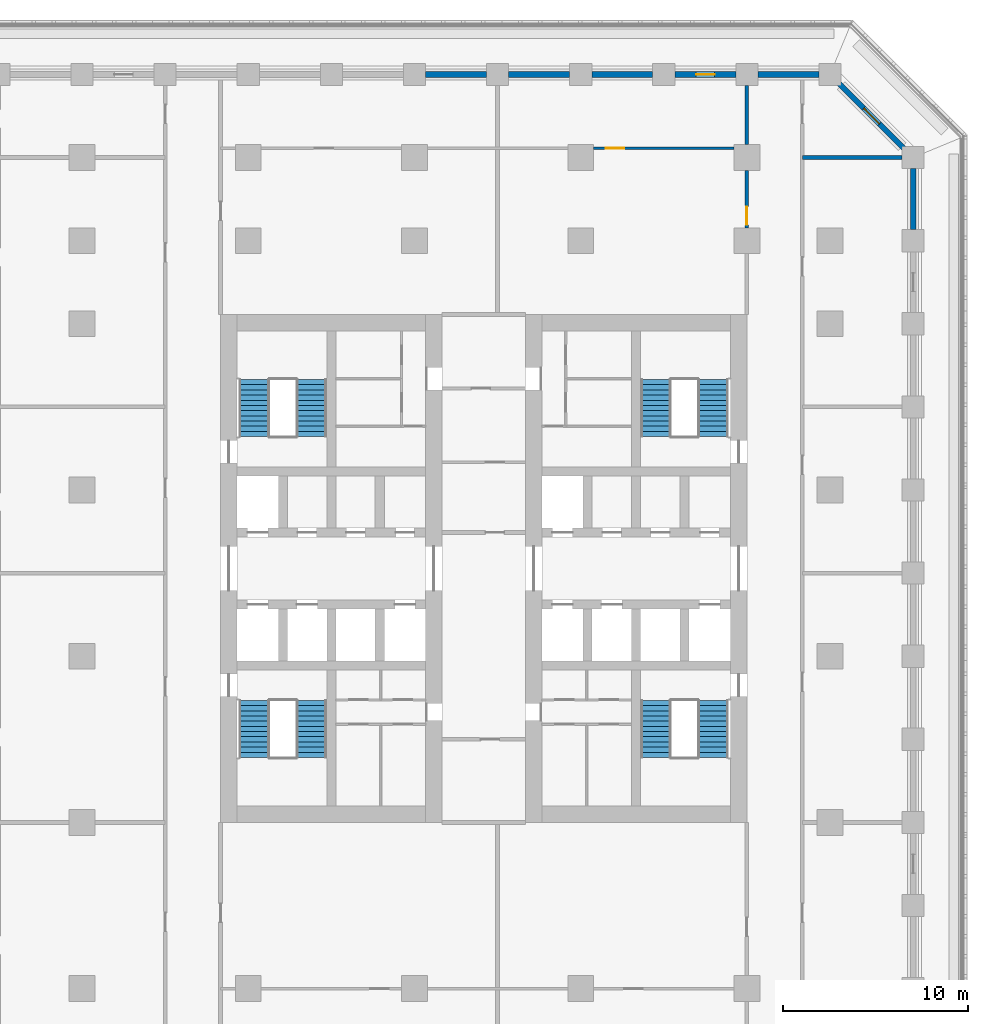
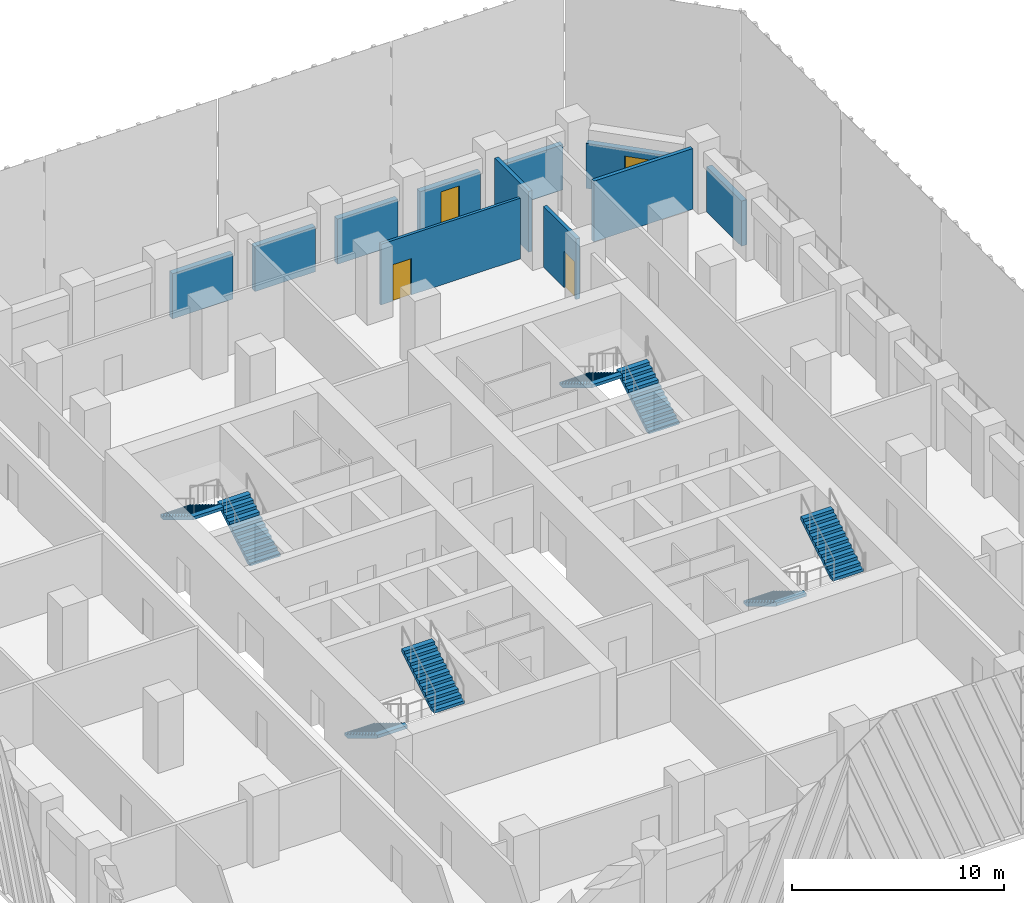
# One storey, part 7 of 17: 11 walls, 8 stair flights, 4 doors, 4 openings, 4 elements without a shape of their own.
"""IFC4 building model written with IfcOpenShell, lengths in metres."""

from ifc_helpers import new_model, si_unit, direction, frame, frame_2d, origin, place, context, subcontext, project, spatial, polyline, rectangle, outline, extrude, material, layer, layer_set, type_object, element, fill, aggregate, save


model = new_model("IFC4")

# Units and contexts
model_context = context("Model", 3, precision=1e-05, world=origin(), true_north=direction((0.0, 1.0)))
body_context = subcontext(model_context, "Body", "Model", "MODEL_VIEW")
ifc_project = project(units=[si_unit("LENGTHUNIT", "METRE"), si_unit("AREAUNIT", "SQUARE_METRE"), si_unit("VOLUMEUNIT", "CUBIC_METRE"), si_unit("PLANEANGLEUNIT", "RADIAN"), si_unit("MASSUNIT", "GRAM", prefix="KILO")], contexts=[model_context])

# Site, building, storey
site_placement = place(None, origin())
site = spatial("IfcSite", under=ifc_project, at=site_placement, CompositionType="ELEMENT")
building_placement = place(site_placement, origin())
building = spatial("IfcBuilding", under=site, at=building_placement, Name="Corbel Stack Research Tower", CompositionType="ELEMENT")
storey_placement = place(building_placement, frame((0.0, 0.0, 141.300048828125)))
storey = spatial("IfcBuildingStorey", under=building, at=storey_placement, Name="L32", CompositionType="ELEMENT", Elevation=141.300048828125)

# Wall, opening, door
ifc_material_1 = material(Name="Fire-rated gypsum board partition on steel studs", Category="steel")
ifc_layer_1 = layer(ifc_material_1, 0.199951171875)
ifc_layer_set_1 = layer_set([ifc_layer_1], Name="Fire-rated gypsum board partition on steel studs")
wall_type_1 = type_object("IfcWallType", Name="Fire-rated partition 200 EI 60", PredefinedType="PARTITIONING", material=ifc_layer_set_1)
wall_1_placement = place(storey_placement, frame((18.0, 23.199951171875, 0.0), z_axis=(0.0, 0.0, 1.0), x_axis=(0.0, 1.0, 0.0)))
wall_1 = element("IfcWall", 1, at=wall_1_placement, inside=storey, type_object=wall_type_1, Name="Partition L32-010", PredefinedType="PARTITIONING", context=body_context, shape_type="SweptSolid", body=[
    extrude(rectangle(XDim=3.10009765625, YDim=0.199951171875, at=frame_2d((1.550048828125, 0.0))), origin(), (0.0, 0.0, 1.0), 3.5),
])
opening_1_placement = place(wall_1_placement, frame((0.14990234375, 0.0, 0.0)))
opening_1 = element("IfcOpeningElement", 2, at=opening_1_placement, cuts=wall_1, Name="Opening B4V2-020", PredefinedType="OPENING", context=body_context, shape_type="SweptSolid", body=[
    extrude(rectangle(XDim=1.0, YDim=2.10009765625, at=frame_2d((0.5, 1.050048828125))), frame((0.0, 0.10986328125, 0.0), z_axis=(0.0, -1.0, 0.0), x_axis=(1.0, 0.0, 0.0)), (0.0, 0.0, 1.0), 0.219970703125),
])
ifc_material_2 = material(Name="Painted steel fire door", Category="steel")
door_type_1 = type_object("IfcDoorType", Name="Fire door FD30S 1000 x 2100", OperationType="NOTDEFINED", PredefinedType="DOOR", material=ifc_material_2)
door_1_placement = place(opening_1_placement, origin())
door_1 = element("IfcDoor", 3, at=door_1_placement, inside=storey, type_object=door_type_1, Name="Door B4V2-020", OperationType="SINGLE_SWING_LEFT", OverallHeight=2.10009765625, OverallWidth=1.0, PredefinedType="DOOR", context=body_context, shape_type="SweptSolid", body=[
    extrude(rectangle(XDim=1.0, YDim=2.10009765625, at=frame_2d((0.5, 1.050048828125))), frame((0.0, 0.02490234375, 0.0), z_axis=(0.0, -1.0, 0.0), x_axis=(1.0, 0.0, 0.0)), (0.0, 0.0, 1.0), 0.050048828125),
])
fill(opening_1, door_1)

# Walls
wall_2_placement = place(storey_placement, frame((18.0, 27.699951171875, 0.0), z_axis=(0.0, 0.0, 1.0), x_axis=(0.0, 1.0, 0.0)))
element("IfcWall", 4, at=wall_2_placement, inside=storey, type_object=wall_type_1, Name="Partition L32-011", PredefinedType="PARTITIONING", context=body_context, shape_type="SweptSolid", body=[
    extrude(rectangle(XDim=3.199951171875, YDim=0.199951171875, at=frame_2d((1.60009765625, 0.0))), origin(), (0.0, 0.0, 1.0), 3.5),
])
wall_3_placement = place(storey_placement, frame((21.0, 27.0, 0.0), z_axis=(0.0, 0.0, 1.0), x_axis=(1.0, 0.0, 0.0)))
element("IfcWall", 5, at=wall_3_placement, inside=storey, type_object=wall_type_1, Name="Partition L32-033", PredefinedType="PARTITIONING", context=body_context, shape_type="SweptSolid", body=[
    extrude(rectangle(XDim=5.39990234375, YDim=0.199951171875, at=frame_2d((2.699951171875, 0.0))), origin(), (0.0, 0.0, 1.0), 3.5),
])

# Wall, opening, door
ifc_material_3 = material(Name="Gypsum board partition on steel studs", Category="steel")
ifc_layer_2 = layer(ifc_material_3, 0.14990234375)
ifc_layer_set_2 = layer_set([ifc_layer_2], Name="Gypsum board partition on steel studs")
wall_type_2 = type_object("IfcWallType", Name="Partition 150", PredefinedType="PARTITIONING", material=ifc_layer_set_2)
wall_4_placement = place(storey_placement, frame((9.699951171875, 27.5, 0.0), z_axis=(0.0, 0.0, 1.0), x_axis=(1.0, 0.0, 0.0)))
wall_4 = element("IfcWall", 6, at=wall_4_placement, inside=storey, type_object=wall_type_2, Name="Partition L32-037", PredefinedType="PARTITIONING", context=body_context, shape_type="SweptSolid", body=[
    extrude(rectangle(XDim=7.60009765625, YDim=0.14990234375, at=frame_2d((3.800048828125, 0.0))), origin(), (0.0, 0.0, 1.0), 3.5),
])
opening_2_placement = place(wall_4_placement, frame((0.64990234375, 0.0, 0.0)))
opening_2 = element("IfcOpeningElement", 7, at=opening_2_placement, cuts=wall_4, Name="Opening B4V2-027", PredefinedType="OPENING", context=body_context, shape_type="SweptSolid", body=[
    extrude(rectangle(XDim=1.0, YDim=2.10009765625, at=frame_2d((0.5, 1.050048828125))), frame((0.0, 0.0849609375, 0.0), z_axis=(0.0, -1.0, 0.0), x_axis=(1.0, 0.0, 0.0)), (0.0, 0.0, 1.0), 0.169921875),
])
ifc_material_4 = material(Name="Painted timber door", Category="wood")
door_type_2 = type_object("IfcDoorType", Name="Single door 1000 x 2100", OperationType="NOTDEFINED", PredefinedType="DOOR", material=ifc_material_4)
door_2_placement = place(opening_2_placement, origin())
door_2 = element("IfcDoor", 8, at=door_2_placement, inside=storey, type_object=door_type_2, Name="Door B4V2-027", OperationType="SINGLE_SWING_LEFT", OverallHeight=2.10009765625, OverallWidth=1.0, PredefinedType="DOOR", context=body_context, shape_type="SweptSolid", body=[
    extrude(rectangle(XDim=1.0, YDim=2.10009765625, at=frame_2d((0.5, 1.050048828125))), frame((0.0, 0.02490234375, 0.0), z_axis=(0.0, -1.0, 0.0), x_axis=(1.0, 0.0, 0.0)), (0.0, 0.0, 1.0), 0.050048828125),
])
fill(opening_2, door_2)

# Wall
ifc_material_5 = material(Name="Concrete C45/55", Category="concrete")
ifc_layer_3 = layer(ifc_material_5, 0.300048828125)
ifc_layer_set_3 = layer_set([ifc_layer_3], Name="Concrete C45/55")
wall_type_3 = type_object("IfcWallType", Name="Terracotta-faced concrete wall 300", PredefinedType="SOLIDWALL", material=ifc_layer_set_3)
wall_5_placement = place(storey_placement, frame((27.0, 26.39990234375, 0.0), z_axis=(0.0, 0.0, 1.0), x_axis=(0.0, -1.0, 0.0)))
element("IfcWall", 9, at=wall_5_placement, inside=storey, type_object=wall_type_3, Name="Facade wall L32 E10", PredefinedType="SOLIDWALL", context=body_context, shape_type="SweptSolid", body=[
    extrude(rectangle(XDim=3.2998046875, YDim=0.300048828125, at=frame_2d((1.64990234375, 0.0))), origin(), (0.0, 0.0, 1.0), 2.599853515625),
])

# Wall, opening, door
wall_6_placement = place(storey_placement, frame((22.993896484375, 31.006103515625, 0.0), z_axis=(0.0, 0.0, 1.0), x_axis=(0.707106781187, -0.707106781187, 0.0)))
wall_6 = element("IfcWall", 10, at=wall_6_placement, inside=storey, type_object=wall_type_3, Name="Facade wall L32 NE01", PredefinedType="SOLIDWALL", context=body_context, shape_type="SweptSolid", body=[
    extrude(rectangle(XDim=4.967041015625, YDim=0.300048828125, at=frame_2d((2.4833984375, 0.0))), origin(), (0.0, 0.0, 1.0), 2.599853515625),
])
opening_3_placement = place(wall_6_placement, frame((1.883544921875, 0.0, 0.0)))
opening_3 = element("IfcOpeningElement", 11, at=opening_3_placement, cuts=wall_6, Name="Opening L32-B06", PredefinedType="OPENING", context=body_context, shape_type="SweptSolid", body=[
    extrude(rectangle(XDim=1.199951171875, YDim=2.199951171875, at=frame_2d((0.60009765625, 1.10009765625))), frame((0.0, 0.159912109375, 0.0), z_axis=(0.0, -1.0, 0.0), x_axis=(1.0, 0.0, 0.0)), (0.0, 0.0, 1.0), 0.320068359375),
])
ifc_material_6 = material(Name="Aluminium frame, clear double glazing", Category="aluminium")
door_type_3 = type_object("IfcDoorType", Name="Balcony door BD2 1200 x 2200", OperationType="NOTDEFINED", PredefinedType="DOOR", material=ifc_material_6)
door_3_placement = place(opening_3_placement, origin())
door_3 = element("IfcDoor", 12, at=door_3_placement, inside=storey, type_object=door_type_3, Name="Balcony door L32-B06", OperationType="SINGLE_SWING_LEFT", OverallHeight=2.199951171875, OverallWidth=1.199951171875, PredefinedType="DOOR", context=body_context, shape_type="SweptSolid", body=[
    extrude(rectangle(XDim=1.199951171875, YDim=2.199951171875, at=frame_2d((0.60009765625, 1.10009765625))), frame((0.0, 0.02490234375, 0.0), z_axis=(0.0, -1.0, 0.0), x_axis=(1.0, 0.0, 0.0)), (0.0, 0.0, 1.0), 0.050048828125),
])
fill(opening_3, door_3)

# Wall
wall_7_placement = place(storey_placement, frame((18.60009765625, 31.5, 0.0), z_axis=(0.0, 0.0, 1.0), x_axis=(1.0, 0.0, 0.0)))
element("IfcWall", 13, at=wall_7_placement, inside=storey, type_object=wall_type_3, Name="Facade wall L32 N01", PredefinedType="SOLIDWALL", context=body_context, shape_type="SweptSolid", body=[
    extrude(rectangle(XDim=3.2998046875, YDim=0.300048828125, at=frame_2d((1.64990234375, 0.0))), origin(), (0.0, 0.0, 1.0), 2.599853515625),
])

# Wall, opening, door
wall_8_placement = place(storey_placement, frame((14.10009765625, 31.5, 0.0), z_axis=(0.0, 0.0, 1.0), x_axis=(1.0, 0.0, 0.0)))
wall_8 = element("IfcWall", 14, at=wall_8_placement, inside=storey, type_object=wall_type_3, Name="Facade wall L32 N02", PredefinedType="SOLIDWALL", context=body_context, shape_type="SweptSolid", body=[
    extrude(rectangle(XDim=3.2998046875, YDim=0.300048828125, at=frame_2d((1.64990234375, 0.0))), origin(), (0.0, 0.0, 1.0), 2.599853515625),
])
opening_4_placement = place(wall_8_placement, frame((1.14990234375, 0.0, 0.0)))
opening_4 = element("IfcOpeningElement", 15, at=opening_4_placement, cuts=wall_8, Name="Opening L32-B07", PredefinedType="OPENING", context=body_context, shape_type="SweptSolid", body=[
    extrude(rectangle(XDim=1.0, YDim=2.199951171875, at=frame_2d((0.5, 1.10009765625))), frame((0.0, 0.159912109375, 0.0), z_axis=(0.0, -1.0, 0.0), x_axis=(1.0, 0.0, 0.0)), (0.0, 0.0, 1.0), 0.320068359375),
])
ifc_material_7 = material(Name="Aluminium frame, clear double glazing", Category="aluminium")
door_type_4 = type_object("IfcDoorType", Name="Balcony door BD1 1000 x 2200", OperationType="NOTDEFINED", PredefinedType="DOOR", material=ifc_material_7)
door_4_placement = place(opening_4_placement, origin())
door_4 = element("IfcDoor", 16, at=door_4_placement, inside=storey, type_object=door_type_4, Name="Balcony door L32-B07", OperationType="SINGLE_SWING_RIGHT", OverallHeight=2.199951171875, OverallWidth=1.0, PredefinedType="DOOR", context=body_context, shape_type="SweptSolid", body=[
    extrude(rectangle(XDim=1.0, YDim=2.199951171875, at=frame_2d((0.5, 1.10009765625))), frame((0.0, 0.02490234375, 0.0), z_axis=(0.0, -1.0, 0.0), x_axis=(1.0, 0.0, 0.0)), (0.0, 0.0, 1.0), 0.050048828125),
])
fill(opening_4, door_4)

# Walls
for number, where, z_axis, x_axis, name in (
    (17, (9.60009765625, 31.5, 0.0), (0.0, 0.0, 1.0), (1.0, 0.0, 0.0), "Facade wall L32 N03"),
    (18, (5.10009765625, 31.5, 0.0), (0.0, 0.0, 1.0), (1.0, 0.0, 0.0), "Facade wall L32 N04"),
    (19, (0.60009765625, 31.5, 0.0), (0.0, 0.0, 1.0), (1.0, 0.0, 0.0), "Facade wall L32 N05"),
):
    element("IfcWall", number, at=place(storey_placement, frame(where, z_axis=z_axis, x_axis=x_axis)), inside=storey, type_object=wall_type_3, Name=name, PredefinedType="SOLIDWALL", context=body_context, shape_type="SweptSolid", body=[
        extrude(rectangle(XDim=3.2998046875, YDim=0.300048828125, at=frame_2d((1.64990234375, 0.0))), origin(), (0.0, 0.0, 1.0), 2.599853515625),
    ])

# Stair, stair flights
ifc_material_8 = material(Name="Concrete C40/50", Category="concrete")
stair_type = type_object("IfcStairType", Name="Exit stair 24 risers", PredefinedType="HALF_TURN_STAIR", material=ifc_material_8)
stair_1_placement = place(storey_placement, origin())
stair_1 = element("IfcStair", 20, at=stair_1_placement, inside=storey, type_object=stair_type, Name="L32 Exit stair ST-W1", PredefinedType="HALF_TURN_STAIR")
ifc_material_9 = material(Name="Concrete C40/50", Category="concrete")
stair_flight_type = type_object("IfcStairFlightType", Name="Stair flight 12 risers", PredefinedType="STRAIGHT", material=ifc_material_9)
stair_flight_1_placement = place(storey_placement, frame((-8.675048828125, -2.39990234375, 0.0), z_axis=(0.0, 0.0, 1.0), x_axis=(0.0, -1.0, 0.0)))
stair_flight_1 = element("IfcStairFlight", 21, at=stair_flight_1_placement, type_object=stair_flight_type, Name="ST-W1 flight 1", NumberOfRisers=12, NumberOfTreads=11, PredefinedType="STRAIGHT", RiserHeight=0.170833333, TreadLength=0.28, context=body_context, shape_type="SweptSolid", body=[
    extrude(outline(polyline([(0.0, 0.0), (0.0, 0.1708984375), (0.280029296875, 0.1708984375), (0.280029296875, 0.341552734375), (0.56005859375, 0.341552734375), (0.56005859375, 0.512451171875), (0.840087890625, 0.512451171875), (0.840087890625, 0.683349609375), (1.1201171875, 0.683349609375), (1.1201171875, 0.854248046875), (1.39990234375, 0.854248046875), (1.39990234375, 1.02490234375), (1.679931640625, 1.02490234375), (1.679931640625, 1.19580078125), (1.9599609375, 1.19580078125), (1.9599609375, 1.36669921875), (2.239990234375, 1.36669921875), (2.239990234375, 1.53759765625), (2.52001953125, 1.53759765625), (2.52001953125, 1.708251953125), (2.800048828125, 1.708251953125), (2.800048828125, 1.879150390625), (3.080078125, 1.879150390625), (3.080078125, 2.050048828125), (3.080078125, 1.70361328125), (0.287841796875, 0.0), (0.0, 0.0)])), frame((0.0, 0.824951171875, 0.0), z_axis=(0.0, -1.0, 0.0), x_axis=(1.0, 0.0, 0.0)), (0.0, 0.0, 1.0), 1.64990234375),
])
stair_flight_2_placement = place(storey_placement, frame((-5.574951171875, -5.47998046875, 2.050048828125), z_axis=(0.0, 0.0, 1.0), x_axis=(0.0, 1.0, 0.0)))
stair_flight_2 = element("IfcStairFlight", 22, at=stair_flight_2_placement, type_object=stair_flight_type, Name="ST-W1 flight 2", NumberOfRisers=12, NumberOfTreads=11, PredefinedType="STRAIGHT", RiserHeight=0.170833333, TreadLength=0.28, context=body_context, shape_type="SweptSolid", body=[
    extrude(outline(polyline([(0.0, 0.0), (0.0, 0.1708984375), (0.280029296875, 0.1708984375), (0.280029296875, 0.341552734375), (0.56005859375, 0.341552734375), (0.56005859375, 0.512451171875), (0.840087890625, 0.512451171875), (0.840087890625, 0.683349609375), (1.1201171875, 0.683349609375), (1.1201171875, 0.854248046875), (1.39990234375, 0.854248046875), (1.39990234375, 1.02490234375), (1.679931640625, 1.02490234375), (1.679931640625, 1.19580078125), (1.9599609375, 1.19580078125), (1.9599609375, 1.36669921875), (2.239990234375, 1.36669921875), (2.239990234375, 1.53759765625), (2.52001953125, 1.53759765625), (2.52001953125, 1.708251953125), (2.800048828125, 1.708251953125), (2.800048828125, 1.879150390625), (3.080078125, 1.879150390625), (3.080078125, 2.050048828125), (3.080078125, 1.70361328125), (0.287841796875, 0.0), (0.0, 0.0)])), frame((0.0, 0.824951171875, 0.0), z_axis=(0.0, -1.0, 0.0), x_axis=(1.0, 0.0, 0.0)), (0.0, 0.0, 1.0), 1.64990234375),
])
aggregate(stair_1, [stair_flight_1, stair_flight_2])

stair_2_placement = place(storey_placement, origin())
stair_2 = element("IfcStair", 23, at=stair_2_placement, inside=storey, type_object=stair_type, Name="L32 Exit stair ST-W2", PredefinedType="HALF_TURN_STAIR")
stair_flight_3_placement = place(storey_placement, frame((-5.574951171875, 11.89990234375, 0.0), z_axis=(0.0, 0.0, 1.0), x_axis=(0.0, 1.0, 0.0)))
stair_flight_3 = element("IfcStairFlight", 24, at=stair_flight_3_placement, type_object=stair_flight_type, Name="ST-W2 flight 1", NumberOfRisers=12, NumberOfTreads=11, PredefinedType="STRAIGHT", RiserHeight=0.170833333, TreadLength=0.28, context=body_context, shape_type="SweptSolid", body=[
    extrude(outline(polyline([(0.0, 0.0), (0.0, 0.1708984375), (0.280029296875, 0.1708984375), (0.280029296875, 0.341552734375), (0.56005859375, 0.341552734375), (0.56005859375, 0.512451171875), (0.840087890625, 0.512451171875), (0.840087890625, 0.683349609375), (1.1201171875, 0.683349609375), (1.1201171875, 0.854248046875), (1.39990234375, 0.854248046875), (1.39990234375, 1.02490234375), (1.679931640625, 1.02490234375), (1.679931640625, 1.19580078125), (1.9599609375, 1.19580078125), (1.9599609375, 1.36669921875), (2.239990234375, 1.36669921875), (2.239990234375, 1.53759765625), (2.52001953125, 1.53759765625), (2.52001953125, 1.708251953125), (2.800048828125, 1.708251953125), (2.800048828125, 1.879150390625), (3.080078125, 1.879150390625), (3.080078125, 2.050048828125), (3.080078125, 1.70361328125), (0.287841796875, 0.0), (0.0, 0.0)])), frame((0.0, 0.824951171875, 0.0), z_axis=(0.0, -1.0, 0.0), x_axis=(1.0, 0.0, 0.0)), (0.0, 0.0, 1.0), 1.64990234375),
])
stair_flight_4_placement = place(storey_placement, frame((-8.675048828125, 14.97998046875, 2.050048828125), z_axis=(0.0, 0.0, 1.0), x_axis=(0.0, -1.0, 0.0)))
stair_flight_4 = element("IfcStairFlight", 25, at=stair_flight_4_placement, type_object=stair_flight_type, Name="ST-W2 flight 2", NumberOfRisers=12, NumberOfTreads=11, PredefinedType="STRAIGHT", RiserHeight=0.170833333, TreadLength=0.28, context=body_context, shape_type="SweptSolid", body=[
    extrude(outline(polyline([(0.0, 0.0), (0.0, 0.1708984375), (0.280029296875, 0.1708984375), (0.280029296875, 0.341552734375), (0.56005859375, 0.341552734375), (0.56005859375, 0.512451171875), (0.840087890625, 0.512451171875), (0.840087890625, 0.683349609375), (1.1201171875, 0.683349609375), (1.1201171875, 0.854248046875), (1.39990234375, 0.854248046875), (1.39990234375, 1.02490234375), (1.679931640625, 1.02490234375), (1.679931640625, 1.19580078125), (1.9599609375, 1.19580078125), (1.9599609375, 1.36669921875), (2.239990234375, 1.36669921875), (2.239990234375, 1.53759765625), (2.52001953125, 1.53759765625), (2.52001953125, 1.708251953125), (2.800048828125, 1.708251953125), (2.800048828125, 1.879150390625), (3.080078125, 1.879150390625), (3.080078125, 2.050048828125), (3.080078125, 1.70361328125), (0.287841796875, 0.0), (0.0, 0.0)])), frame((0.0, 0.824951171875, 0.0), z_axis=(0.0, -1.0, 0.0), x_axis=(1.0, 0.0, 0.0)), (0.0, 0.0, 1.0), 1.64990234375),
])
aggregate(stair_2, [stair_flight_3, stair_flight_4])

stair_3_placement = place(storey_placement, origin())
stair_3 = element("IfcStair", 26, at=stair_3_placement, inside=storey, type_object=stair_type, Name="L32 Exit stair ST-E1", PredefinedType="HALF_TURN_STAIR")
stair_flight_5_placement = place(storey_placement, frame((13.074951171875, -2.39990234375, 0.0), z_axis=(0.0, 0.0, 1.0), x_axis=(0.0, -1.0, 0.0)))
stair_flight_5 = element("IfcStairFlight", 27, at=stair_flight_5_placement, type_object=stair_flight_type, Name="ST-E1 flight 1", NumberOfRisers=12, NumberOfTreads=11, PredefinedType="STRAIGHT", RiserHeight=0.170833333, TreadLength=0.28, context=body_context, shape_type="SweptSolid", body=[
    extrude(outline(polyline([(0.0, 0.0), (0.0, 0.1708984375), (0.280029296875, 0.1708984375), (0.280029296875, 0.341552734375), (0.56005859375, 0.341552734375), (0.56005859375, 0.512451171875), (0.840087890625, 0.512451171875), (0.840087890625, 0.683349609375), (1.1201171875, 0.683349609375), (1.1201171875, 0.854248046875), (1.39990234375, 0.854248046875), (1.39990234375, 1.02490234375), (1.679931640625, 1.02490234375), (1.679931640625, 1.19580078125), (1.9599609375, 1.19580078125), (1.9599609375, 1.36669921875), (2.239990234375, 1.36669921875), (2.239990234375, 1.53759765625), (2.52001953125, 1.53759765625), (2.52001953125, 1.708251953125), (2.800048828125, 1.708251953125), (2.800048828125, 1.879150390625), (3.080078125, 1.879150390625), (3.080078125, 2.050048828125), (3.080078125, 1.70361328125), (0.287841796875, 0.0), (0.0, 0.0)])), frame((0.0, 0.824951171875, 0.0), z_axis=(0.0, -1.0, 0.0), x_axis=(1.0, 0.0, 0.0)), (0.0, 0.0, 1.0), 1.64990234375),
])
stair_flight_6_placement = place(storey_placement, frame((16.175048828125, -5.47998046875, 2.050048828125), z_axis=(0.0, 0.0, 1.0), x_axis=(0.0, 1.0, 0.0)))
stair_flight_6 = element("IfcStairFlight", 28, at=stair_flight_6_placement, type_object=stair_flight_type, Name="ST-E1 flight 2", NumberOfRisers=12, NumberOfTreads=11, PredefinedType="STRAIGHT", RiserHeight=0.170833333, TreadLength=0.28, context=body_context, shape_type="SweptSolid", body=[
    extrude(outline(polyline([(0.0, 0.0), (0.0, 0.1708984375), (0.280029296875, 0.1708984375), (0.280029296875, 0.341552734375), (0.56005859375, 0.341552734375), (0.56005859375, 0.512451171875), (0.840087890625, 0.512451171875), (0.840087890625, 0.683349609375), (1.1201171875, 0.683349609375), (1.1201171875, 0.854248046875), (1.39990234375, 0.854248046875), (1.39990234375, 1.02490234375), (1.679931640625, 1.02490234375), (1.679931640625, 1.19580078125), (1.9599609375, 1.19580078125), (1.9599609375, 1.36669921875), (2.239990234375, 1.36669921875), (2.239990234375, 1.53759765625), (2.52001953125, 1.53759765625), (2.52001953125, 1.708251953125), (2.800048828125, 1.708251953125), (2.800048828125, 1.879150390625), (3.080078125, 1.879150390625), (3.080078125, 2.050048828125), (3.080078125, 1.70361328125), (0.287841796875, 0.0), (0.0, 0.0)])), frame((0.0, 0.824951171875, 0.0), z_axis=(0.0, -1.0, 0.0), x_axis=(1.0, 0.0, 0.0)), (0.0, 0.0, 1.0), 1.64990234375),
])
aggregate(stair_3, [stair_flight_5, stair_flight_6])

stair_4_placement = place(storey_placement, origin())
stair_4 = element("IfcStair", 29, at=stair_4_placement, inside=storey, type_object=stair_type, Name="L32 Exit stair ST-E2", PredefinedType="HALF_TURN_STAIR")
stair_flight_7_placement = place(storey_placement, frame((16.175048828125, 11.89990234375, 0.0), z_axis=(0.0, 0.0, 1.0), x_axis=(0.0, 1.0, 0.0)))
stair_flight_7 = element("IfcStairFlight", 30, at=stair_flight_7_placement, type_object=stair_flight_type, Name="ST-E2 flight 1", NumberOfRisers=12, NumberOfTreads=11, PredefinedType="STRAIGHT", RiserHeight=0.170833333, TreadLength=0.28, context=body_context, shape_type="SweptSolid", body=[
    extrude(outline(polyline([(0.0, 0.0), (0.0, 0.1708984375), (0.280029296875, 0.1708984375), (0.280029296875, 0.341552734375), (0.56005859375, 0.341552734375), (0.56005859375, 0.512451171875), (0.840087890625, 0.512451171875), (0.840087890625, 0.683349609375), (1.1201171875, 0.683349609375), (1.1201171875, 0.854248046875), (1.39990234375, 0.854248046875), (1.39990234375, 1.02490234375), (1.679931640625, 1.02490234375), (1.679931640625, 1.19580078125), (1.9599609375, 1.19580078125), (1.9599609375, 1.36669921875), (2.239990234375, 1.36669921875), (2.239990234375, 1.53759765625), (2.52001953125, 1.53759765625), (2.52001953125, 1.708251953125), (2.800048828125, 1.708251953125), (2.800048828125, 1.879150390625), (3.080078125, 1.879150390625), (3.080078125, 2.050048828125), (3.080078125, 1.70361328125), (0.287841796875, 0.0), (0.0, 0.0)])), frame((0.0, 0.824951171875, 0.0), z_axis=(0.0, -1.0, 0.0), x_axis=(1.0, 0.0, 0.0)), (0.0, 0.0, 1.0), 1.64990234375),
])
stair_flight_8_placement = place(storey_placement, frame((13.074951171875, 14.97998046875, 2.050048828125), z_axis=(0.0, 0.0, 1.0), x_axis=(0.0, -1.0, 0.0)))
stair_flight_8 = element("IfcStairFlight", 31, at=stair_flight_8_placement, type_object=stair_flight_type, Name="ST-E2 flight 2", NumberOfRisers=12, NumberOfTreads=11, PredefinedType="STRAIGHT", RiserHeight=0.170833333, TreadLength=0.28, context=body_context, shape_type="SweptSolid", body=[
    extrude(outline(polyline([(0.0, 0.0), (0.0, 0.1708984375), (0.280029296875, 0.1708984375), (0.280029296875, 0.341552734375), (0.56005859375, 0.341552734375), (0.56005859375, 0.512451171875), (0.840087890625, 0.512451171875), (0.840087890625, 0.683349609375), (1.1201171875, 0.683349609375), (1.1201171875, 0.854248046875), (1.39990234375, 0.854248046875), (1.39990234375, 1.02490234375), (1.679931640625, 1.02490234375), (1.679931640625, 1.19580078125), (1.9599609375, 1.19580078125), (1.9599609375, 1.36669921875), (2.239990234375, 1.36669921875), (2.239990234375, 1.53759765625), (2.52001953125, 1.53759765625), (2.52001953125, 1.708251953125), (2.800048828125, 1.708251953125), (2.800048828125, 1.879150390625), (3.080078125, 1.879150390625), (3.080078125, 2.050048828125), (3.080078125, 1.70361328125), (0.287841796875, 0.0), (0.0, 0.0)])), frame((0.0, 0.824951171875, 0.0), z_axis=(0.0, -1.0, 0.0), x_axis=(1.0, 0.0, 0.0)), (0.0, 0.0, 1.0), 1.64990234375),
])
aggregate(stair_4, [stair_flight_7, stair_flight_8])

save(model, "model.ifc")
